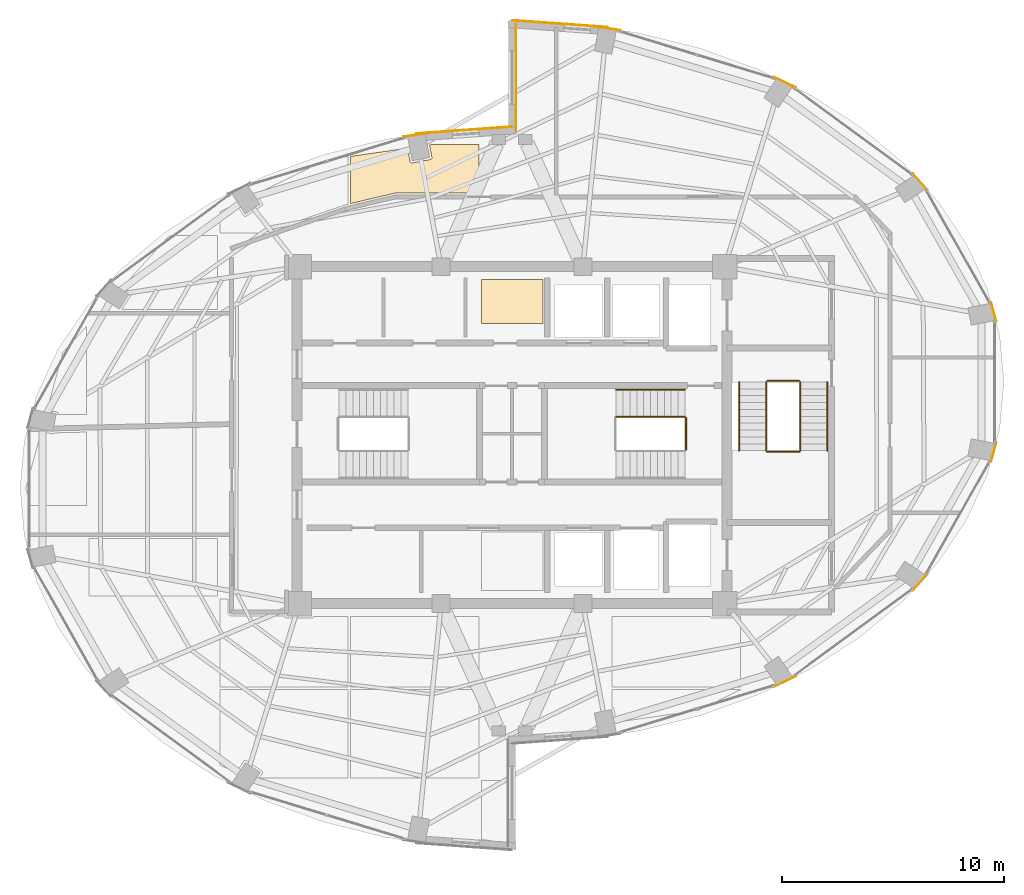
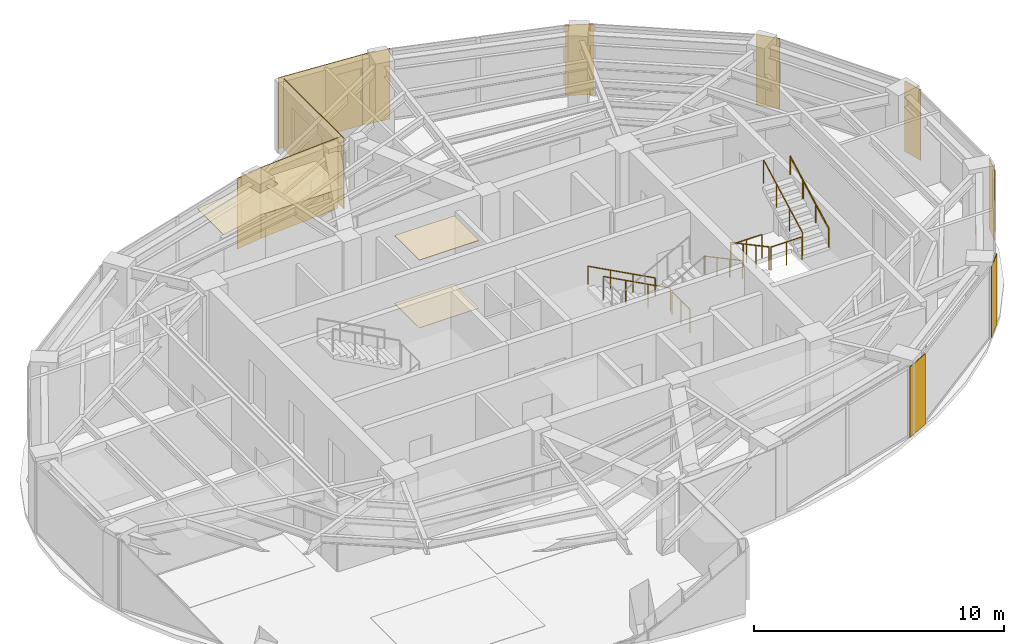
# One storey, part 23 of 23: 14 coverings, 9 railings.
"""IFC4 building model written with IfcOpenShell, lengths in metres."""

from ifc_helpers import new_model, si_unit, direction, frame, origin, origin_2d, place, context, subcontext, project, spatial, polyline, rectangle, circle, outline, extrude, material, layer, layer_set, type_object, element, save


model = new_model("IFC4")

# Units and contexts
model_context = context("Model", 3, precision=1e-05, world=origin(), true_north=direction((0.0, 1.0)))
body_context = subcontext(model_context, "Body", "Model", "MODEL_VIEW")
ifc_project = project(units=[si_unit("LENGTHUNIT", "METRE"), si_unit("AREAUNIT", "SQUARE_METRE"), si_unit("VOLUMEUNIT", "CUBIC_METRE"), si_unit("PLANEANGLEUNIT", "RADIAN"), si_unit("MASSUNIT", "GRAM", prefix="KILO")], contexts=[model_context])

# Site, building, storey
site_placement = place(None, origin())
site = spatial("IfcSite", under=ifc_project, at=site_placement, CompositionType="ELEMENT")
building_placement = place(site_placement, origin())
building = spatial("IfcBuilding", under=site, at=building_placement, Name="Lazwardi Medical Tower", CompositionType="ELEMENT")
storey_placement = place(building_placement, frame((0.0, 0.0, 234.9599609375)))
storey = spatial("IfcBuildingStorey", under=building, at=storey_placement, Name="L61", CompositionType="ELEMENT", Elevation=234.9599609375)

# Coverings
ifc_material_1 = material(Name="Anodised bronze aluminium cassette cladding", Category="aluminium")
ifc_layer_1 = layer(ifc_material_1, 0.030029296875)
ifc_layer_set_1 = layer_set([ifc_layer_1], Name="Anodised bronze aluminium cassette cladding")
covering_type_1 = type_object("IfcCoveringType", Name="COV-CLD-BRZ", PredefinedType="CLADDING", material=ifc_layer_set_1)
covering_1_placement = place(storey_placement, frame((48.311279296875, 16.878662109375, 0.0), z_axis=(0.0, 0.0, 1.0), x_axis=(0.897840141691, 0.440321564278, 0.0)))
element("IfcCovering", 1, at=covering_1_placement, inside=storey, type_object=covering_type_1, Name="L61 Mega-column bronze cassette cover M02", PredefinedType="CLADDING", context=body_context, shape_type="SweptSolid", body=[
    extrude(rectangle(XDim=1.110595703125, YDim=0.030029296875, at=origin_2d()), origin(), (0.0, 0.0, 1.0), 3.447998046875),
])
covering_2_placement = place(storey_placement, frame((54.42529296875, 21.365234375, 0.0), z_axis=(0.0, 0.0, 1.0), x_axis=(0.673240970654, 0.739423150458, 0.0)))
element("IfcCovering", 2, at=covering_2_placement, inside=storey, type_object=covering_type_1, Name="L61 Mega-column bronze cassette cover M03", PredefinedType="CLADDING", context=body_context, shape_type="SweptSolid", body=[
    extrude(rectangle(XDim=0.98974609375, YDim=0.030029296875, at=origin_2d()), origin(), (0.0, 0.0, 1.0), 3.447998046875),
])
for number, where, z_axis, x_axis, name in (
    (3, (57.734130859375, 27.227294921875, 0.0), (0.0, 0.0, 1.0), (0.261641748247, 0.96516506131, 0.0), "L61 Mega-column bronze cassette cover M04"),
    (4, (57.734130859375, 33.572509765625, 0.0), (0.0, 0.0, 1.0), (-0.261641748247, 0.96516506131, 0.0), "L61 Mega-column bronze cassette cover M05"),
):
    element("IfcCovering", number, at=place(storey_placement, frame(where, z_axis=z_axis, x_axis=x_axis)), inside=storey, type_object=covering_type_1, Name=name, PredefinedType="CLADDING", context=body_context, shape_type="SweptSolid", body=[
        extrude(rectangle(XDim=0.894287109375, YDim=0.030029296875, at=origin_2d()), origin(), (0.0, 0.0, 1.0), 3.447998046875),
    ])
covering_3_placement = place(storey_placement, frame((54.42529296875, 39.434814453125, 0.0), z_axis=(0.0, 0.0, 1.0), x_axis=(-0.673240970654, 0.739423150458, 0.0)))
element("IfcCovering", 5, at=covering_3_placement, inside=storey, type_object=covering_type_1, Name="L61 Mega-column bronze cassette cover M06", PredefinedType="CLADDING", context=body_context, shape_type="SweptSolid", body=[
    extrude(rectangle(XDim=0.98974609375, YDim=0.030029296875, at=origin_2d()), origin(), (0.0, 0.0, 1.0), 3.447998046875),
])
covering_4_placement = place(storey_placement, frame((48.311279296875, 43.92138671875, 0.0), z_axis=(0.0, 0.0, 1.0), x_axis=(-0.897840141691, 0.440321564278, 0.0)))
element("IfcCovering", 6, at=covering_4_placement, inside=storey, type_object=covering_type_1, Name="L61 Mega-column bronze cassette cover M07", PredefinedType="CLADDING", context=body_context, shape_type="SweptSolid", body=[
    extrude(rectangle(XDim=1.110595703125, YDim=0.030029296875, at=origin_2d()), origin(), (0.0, 0.0, 1.0), 3.447998046875),
])
for number, where, z_axis, x_axis, name in (
    (7, (40.3232421875, 46.349609375, 0.0), (0.0, 0.0, 1.0), (-0.989512431533, 0.144447733943, 0.0), "L61 Mega-column bronze cassette cover M08"),
    (8, (31.6767578125, 41.549560546875, 0.0), (0.0, 0.0, 1.0), (-0.989512431533, -0.144447733943, 0.0), "L61 Mega-column bronze cassette cover M09"),
):
    element("IfcCovering", number, at=place(storey_placement, frame(where, z_axis=z_axis, x_axis=x_axis)), inside=storey, type_object=covering_type_1, Name=name, PredefinedType="CLADDING", context=body_context, shape_type="SweptSolid", body=[
        extrude(rectangle(XDim=1.188720703125, YDim=0.030029296875, at=origin_2d()), origin(), (0.0, 0.0, 1.0), 3.447998046875),
    ])
ifc_material_2 = material(Name="Turquoise glazed ceramic tilework cladding", Category="masonry")
ifc_layer_2 = layer(ifc_material_2, 0.034912109375)
ifc_layer_set_2 = layer_set([ifc_layer_2], Name="Turquoise glazed ceramic tilework cladding")
covering_type_2 = type_object("IfcCoveringType", Name="COV-CLD-TRQ", PredefinedType="CLADDING", material=ifc_layer_set_2)
covering_5_placement = place(storey_placement, frame((38.16259765625, 46.56005859375, 0.0), z_axis=(0.0, 0.0, 1.0), x_axis=(-0.997409491337, 0.071932653157, 0.0)))
element("IfcCovering", 9, at=covering_5_placement, inside=storey, type_object=covering_type_2, Name="L61 Turquoise glazed ceramic tilework cladding", PredefinedType="CLADDING", context=body_context, shape_type="SweptSolid", body=[
    extrude(rectangle(XDim=4.31103515625, YDim=0.034912109375, at=origin_2d()), origin(), (0.0, 0.0, 1.0), 3.447998046875),
])
covering_6_placement = place(storey_placement, frame((33.83740234375, 41.760009765625, 0.0), z_axis=(0.0, 0.0, 1.0), x_axis=(-0.997408989128, -0.071939616387, 0.0)))
element("IfcCovering", 10, at=covering_6_placement, inside=storey, type_object=covering_type_2, Name="L61 Turquoise glazed ceramic tilework cladding", PredefinedType="CLADDING", context=body_context, shape_type="SweptSolid", body=[
    extrude(rectangle(XDim=4.310546875, YDim=0.034912109375, at=origin_2d()), origin(), (0.0, 0.0, 1.0), 3.447998046875),
])
covering_7_placement = place(storey_placement, frame((36.175537109375, 44.139892578125, 0.0), z_axis=(0.0, 0.0, 1.0), x_axis=(0.0, -1.0, 0.0)))
element("IfcCovering", 11, at=covering_7_placement, inside=storey, type_object=covering_type_2, Name="L61 Turquoise glazed ceramic tilework iwan panel", PredefinedType="CLADDING", context=body_context, shape_type="SweptSolid", body=[
    extrude(rectangle(XDim=4.800048828125, YDim=0.034912109375, at=origin_2d()), origin(), (0.0, 0.0, 1.0), 3.447998046875),
])
ifc_material_3 = material(Name="Acoustic mineral fibre tile")
ifc_layer_3 = layer(ifc_material_3, 0.02490234375)
ifc_layer_set_3 = layer_set([ifc_layer_3], Name="Acoustic mineral fibre tile")
covering_type_3 = type_object("IfcCoveringType", Name="COV-CLG-01", PredefinedType="CEILING", material=ifc_layer_set_3)
covering_8_placement = place(storey_placement, frame((0.0, 0.0, 3.302978515625)))
element("IfcCovering", 12, at=covering_8_placement, inside=storey, type_object=covering_type_3, Name="L61 Clinical Acoustic Ceiling 6", PredefinedType="CEILING", context=body_context, shape_type="SweptSolid", body=[
    extrude(outline(polyline([(32.383544921875, 41.112548828125), (32.276123046875, 41.096923828125), (32.3876953125, 40.536865234375), (32.388671875, 40.529052734375), (32.38916015625, 40.521240234375), (32.388671875, 40.513427734375), (32.3876953125, 40.505615234375), (32.3857421875, 40.498046875), (32.383056640625, 40.490478515625), (32.379638671875, 40.4833984375), (32.37548828125, 40.476806640625), (32.370849609375, 40.470458984375), (32.36572265625, 40.464599609375), (32.35986328125, 40.45947265625), (32.353515625, 40.45458984375), (32.3466796875, 40.45068359375), (32.339599609375, 40.447265625), (32.332275390625, 40.444580078125), (32.32470703125, 40.442626953125), (31.5009765625, 40.27880859375), (31.4931640625, 40.277587890625), (31.4853515625, 40.27734375), (31.4775390625, 40.277587890625), (31.4697265625, 40.27880859375), (31.462158203125, 40.28076171875), (31.45458984375, 40.283447265625), (31.447509765625, 40.28662109375), (31.44091796875, 40.290771484375), (31.4345703125, 40.29541015625), (31.4287109375, 40.30078125), (31.423583984375, 40.306396484375), (31.418701171875, 40.312744140625), (31.414794921875, 40.319580078125), (31.411376953125, 40.32666015625), (31.40869140625, 40.333984375), (31.40673828125, 40.341796875), (31.285400390625, 40.95263671875), (28.722900390625, 40.57958984375), (28.722900390625, 38.449462890625), (30.70947265625, 38.920166015625), (30.71337890625, 38.921142578125), (30.72412109375, 38.923095703125), (30.734375, 38.92431640625), (30.74560546875, 38.9248046875), (30.749755859375, 38.925048828125), (34.5029296875, 38.925048828125), (34.5029296875, 41.112548828125), (32.383544921875, 41.112548828125)])), origin(), (0.0, 0.0, 1.0), 0.025146484375),
])
covering_9_placement = place(storey_placement, frame((0.0, 0.0, 3.302978515625)))
element("IfcCovering", 13, at=covering_9_placement, inside=storey, type_object=covering_type_3, Name="L61 Clinical Acoustic Ceiling 9", PredefinedType="CEILING", context=body_context, shape_type="SweptSolid", body=[
    extrude(outline(polyline([(37.389892578125, 33.032470703125), (37.389892578125, 35.02001953125), (34.622802734375, 35.02001953125), (34.622802734375, 33.032470703125), (37.389892578125, 33.032470703125)])), origin(), (0.0, 0.0, 1.0), 0.025146484375),
])
ifc_material_4 = material(Name="Anti-static hospital vinyl sheet flooring")
ifc_layer_4 = layer(ifc_material_4, 0.014892578125)
ifc_layer_set_4 = layer_set([ifc_layer_4], Name="Anti-static hospital vinyl sheet flooring")
covering_type_4 = type_object("IfcCoveringType", Name="COV-FLR-01", PredefinedType="FLOORING", material=ifc_layer_set_4)
covering_10_placement = place(storey_placement, origin())
element("IfcCovering", 14, at=covering_10_placement, inside=storey, type_object=covering_type_4, Name="L61 Clinical Vinyl Flooring 9", PredefinedType="FLOORING", context=body_context, shape_type="SweptSolid", body=[
    extrude(outline(polyline([(37.389892578125, 33.032470703125), (37.389892578125, 35.02001953125), (34.622802734375, 35.02001953125), (34.622802734375, 33.032470703125), (37.389892578125, 33.032470703125)])), origin(), (0.0, 0.0, 1.0), 0.01513671875),
])

# Railings
ifc_material_5 = material(Name="Stainless steel Grade 316", Category="steel")
railing_type_1 = type_object("IfcRailingType", Name="RLG-GRD-1150", PredefinedType="GUARDRAIL", material=ifc_material_5)
railing_1_placement = place(storey_placement, frame((43.800048828125, 28.830078125, 0.165771484375)))
element("IfcRailing", 15, at=railing_1_placement, inside=storey, type_object=railing_type_1, Name="L61 ST2 stair guard 1", PredefinedType="GUARDRAIL", context=body_context, shape_type="SweptSolid", body=[
    extrude(circle(Radius=0.02392578125, at=origin_2d()), frame((0.0, 0.0, 1.1259765625), z_axis=(-0.881783298633, 0.0, 0.471654761719), x_axis=(0.0, -1.0, 0.0)), (0.0, 0.0, 1.0), 3.515625),
    extrude(circle(Radius=0.02099609375, at=origin_2d()), origin(), (0.0, 0.0, 1.0), 1.099853515625),
    extrude(circle(Radius=0.02099609375, at=origin_2d()), frame((-1.033447265625, 0.0, 0.552734375)), (0.0, 0.0, 1.0), 1.099853515625),
    extrude(circle(Radius=0.02099609375, at=origin_2d()), frame((-2.066650390625, 0.0, 1.10546875)), (0.0, 0.0, 1.0), 1.099853515625),
    extrude(circle(Radius=0.02099609375, at=origin_2d()), frame((-3.10009765625, 0.0, 1.658203125)), (0.0, 0.0, 1.0), 1.099853515625),
])
railing_2_placement = place(storey_placement, frame((43.85009765625, 28.780029296875, 0.0)))
element("IfcRailing", 16, at=railing_2_placement, inside=storey, type_object=railing_type_1, Name="L61 ST2 stair guard 4", PredefinedType="GUARDRAIL", context=body_context, shape_type="SweptSolid", body=[
    extrude(circle(Radius=0.02392578125, at=origin_2d()), frame((0.0, 0.0, 1.1259765625), z_axis=(0.0, -1.0, 0.0), x_axis=(1.0, 0.0, 0.0)), (0.0, 0.0, 1.0), 1.43994140625),
    extrude(circle(Radius=0.02099609375, at=origin_2d()), origin(), (0.0, 0.0, 1.0), 1.099853515625),
    extrude(circle(Radius=0.02099609375, at=origin_2d()), frame((0.0, -0.719970703125, 0.0)), (0.0, 0.0, 1.0), 1.099853515625),
    extrude(circle(Radius=0.02099609375, at=origin_2d()), frame((0.0, -1.43994140625, 0.0)), (0.0, 0.0, 1.0), 1.099853515625),
])
railing_3_placement = place(storey_placement, frame((47.469970703125, 30.39990234375, 0.165771484375)))
element("IfcRailing", 17, at=railing_3_placement, inside=storey, type_object=railing_type_1, Name="L61 ST3 stair guard 1", PredefinedType="GUARDRAIL", context=body_context, shape_type="SweptSolid", body=[
    extrude(circle(Radius=0.02392578125, at=origin_2d()), frame((0.0, 0.0, 1.1259765625), z_axis=(0.0, -0.881767849116, 0.471683644262), x_axis=(1.0, 0.0, 0.0)), (0.0, 0.0, 1.0), 3.515380859375),
    extrude(circle(Radius=0.02099609375, at=origin_2d()), origin(), (0.0, 0.0, 1.0), 1.099853515625),
    extrude(circle(Radius=0.02099609375, at=origin_2d()), frame((0.0, -1.033203125, 0.552734375)), (0.0, 0.0, 1.0), 1.099853515625),
    extrude(circle(Radius=0.02099609375, at=origin_2d()), frame((0.0, -2.066650390625, 1.10546875)), (0.0, 0.0, 1.0), 1.099853515625),
    extrude(circle(Radius=0.02099609375, at=origin_2d()), frame((0.0, -3.099853515625, 1.658203125)), (0.0, 0.0, 1.0), 1.099853515625),
])
railing_4_placement = place(storey_placement, frame((47.52001953125, 27.25, 1.823974609375)))
element("IfcRailing", 18, at=railing_4_placement, inside=storey, type_object=railing_type_1, Name="L61 ST3 stair guard 2", PredefinedType="GUARDRAIL", context=body_context, shape_type="SweptSolid", body=[
    extrude(circle(Radius=0.02392578125, at=origin_2d()), frame((0.0, 0.0, 1.1259765625), z_axis=(1.0, 0.0, 0.0), x_axis=(0.0, 1.0, 0.0)), (0.0, 0.0, 1.0), 1.43994140625),
    extrude(circle(Radius=0.02099609375, at=origin_2d()), origin(), (0.0, 0.0, 1.0), 1.099853515625),
    extrude(circle(Radius=0.02099609375, at=origin_2d()), frame((0.719970703125, 0.0, 0.0)), (0.0, 0.0, 1.0), 1.099853515625),
    extrude(circle(Radius=0.02099609375, at=origin_2d()), frame((1.43994140625, 0.0, 0.0)), (0.0, 0.0, 1.0), 1.099853515625),
])
railing_5_placement = place(storey_placement, frame((49.010009765625, 27.300048828125, 1.98974609375)))
element("IfcRailing", 19, at=railing_5_placement, inside=storey, type_object=railing_type_1, Name="L61 ST3 stair guard 3", PredefinedType="GUARDRAIL", context=body_context, shape_type="SweptSolid", body=[
    extrude(circle(Radius=0.02392578125, at=origin_2d()), frame((0.0, 0.0, 1.1259765625), z_axis=(0.0, 0.881767849116, 0.471683644262), x_axis=(-1.0, 0.0, 0.0)), (0.0, 0.0, 1.0), 3.515380859375),
    extrude(circle(Radius=0.02099609375, at=origin_2d()), origin(), (0.0, 0.0, 1.0), 1.099853515625),
    extrude(circle(Radius=0.02099609375, at=origin_2d()), frame((0.0, 1.033203125, 0.552734375)), (0.0, 0.0, 1.0), 1.099853515625),
    extrude(circle(Radius=0.02099609375, at=origin_2d()), frame((0.0, 2.066650390625, 1.10546875)), (0.0, 0.0, 1.0), 1.099853515625),
    extrude(circle(Radius=0.02099609375, at=origin_2d()), frame((0.0, 3.099853515625, 1.658203125)), (0.0, 0.0, 1.0), 1.099853515625),
])
railing_6_placement = place(storey_placement, frame((47.52001953125, 30.449951171875, 0.0)))
element("IfcRailing", 20, at=railing_6_placement, inside=storey, type_object=railing_type_1, Name="L61 ST3 stair guard 4", PredefinedType="GUARDRAIL", context=body_context, shape_type="SweptSolid", body=[
    extrude(circle(Radius=0.02392578125, at=origin_2d()), frame((0.0, 0.0, 1.1259765625), z_axis=(1.0, 0.0, 0.0), x_axis=(0.0, 1.0, 0.0)), (0.0, 0.0, 1.0), 1.43994140625),
    extrude(circle(Radius=0.02099609375, at=origin_2d()), origin(), (0.0, 0.0, 1.0), 1.099853515625),
    extrude(circle(Radius=0.02099609375, at=origin_2d()), frame((0.719970703125, 0.0, 0.0)), (0.0, 0.0, 1.0), 1.099853515625),
    extrude(circle(Radius=0.02099609375, at=origin_2d()), frame((1.43994140625, 0.0, 0.0)), (0.0, 0.0, 1.0), 1.099853515625),
])
railing_type_2 = type_object("IfcRailingType", Name="RLG-HND-920", PredefinedType="HANDRAIL", material=ifc_material_5)
railing_7_placement = place(storey_placement, frame((43.800048828125, 30.050048828125, 0.165771484375)))
element("IfcRailing", 21, at=railing_7_placement, inside=storey, type_object=railing_type_2, Name="L61 ST2 stair handrail 1", PredefinedType="HANDRAIL", context=body_context, shape_type="SweptSolid", body=[
    extrude(circle(Radius=0.02392578125, at=origin_2d()), frame((0.0, 0.0, 0.8857421875), z_axis=(-0.881783298633, 0.0, 0.471654761719), x_axis=(0.0, -1.0, 0.0)), (0.0, 0.0, 1.0), 3.515625),
    extrude(circle(Radius=0.02099609375, at=origin_2d()), origin(), (0.0, 0.0, 1.0), 0.85986328125),
    extrude(circle(Radius=0.02099609375, at=origin_2d()), frame((-1.033447265625, 0.0, 0.552734375)), (0.0, 0.0, 1.0), 0.85986328125),
    extrude(circle(Radius=0.02099609375, at=origin_2d()), frame((-2.066650390625, 0.0, 1.10546875)), (0.0, 0.0, 1.0), 0.85986328125),
    extrude(circle(Radius=0.02099609375, at=origin_2d()), frame((-3.10009765625, 0.0, 1.658203125)), (0.0, 0.0, 1.0), 0.85986328125),
])
railing_8_placement = place(storey_placement, frame((46.25, 30.39990234375, 0.165771484375)))
element("IfcRailing", 22, at=railing_8_placement, inside=storey, type_object=railing_type_2, Name="L61 ST3 stair handrail 1", PredefinedType="HANDRAIL", context=body_context, shape_type="SweptSolid", body=[
    extrude(circle(Radius=0.02392578125, at=origin_2d()), frame((0.0, 0.0, 0.8857421875), z_axis=(0.0, -0.881767849116, 0.471683644262), x_axis=(1.0, 0.0, 0.0)), (0.0, 0.0, 1.0), 3.515380859375),
    extrude(circle(Radius=0.02099609375, at=origin_2d()), origin(), (0.0, 0.0, 1.0), 0.85986328125),
    extrude(circle(Radius=0.02099609375, at=origin_2d()), frame((0.0, -1.033203125, 0.552734375)), (0.0, 0.0, 1.0), 0.85986328125),
    extrude(circle(Radius=0.02099609375, at=origin_2d()), frame((0.0, -2.066650390625, 1.10546875)), (0.0, 0.0, 1.0), 0.85986328125),
    extrude(circle(Radius=0.02099609375, at=origin_2d()), frame((0.0, -3.099853515625, 1.658203125)), (0.0, 0.0, 1.0), 0.85986328125),
])
railing_9_placement = place(storey_placement, frame((50.22998046875, 27.300048828125, 1.98974609375)))
element("IfcRailing", 23, at=railing_9_placement, inside=storey, type_object=railing_type_2, Name="L61 ST3 stair handrail 2", PredefinedType="HANDRAIL", context=body_context, shape_type="SweptSolid", body=[
    extrude(circle(Radius=0.02392578125, at=origin_2d()), frame((0.0, 0.0, 0.8857421875), z_axis=(0.0, 0.881767849116, 0.471683644262), x_axis=(-1.0, 0.0, 0.0)), (0.0, 0.0, 1.0), 3.515380859375),
    extrude(circle(Radius=0.02099609375, at=origin_2d()), origin(), (0.0, 0.0, 1.0), 0.85986328125),
    extrude(circle(Radius=0.02099609375, at=origin_2d()), frame((0.0, 1.033203125, 0.552734375)), (0.0, 0.0, 1.0), 0.85986328125),
    extrude(circle(Radius=0.02099609375, at=origin_2d()), frame((0.0, 2.066650390625, 1.10546875)), (0.0, 0.0, 1.0), 0.85986328125),
    extrude(circle(Radius=0.02099609375, at=origin_2d()), frame((0.0, 3.099853515625, 1.658203125)), (0.0, 0.0, 1.0), 0.85986328125),
])

save(model, "model.ifc")
